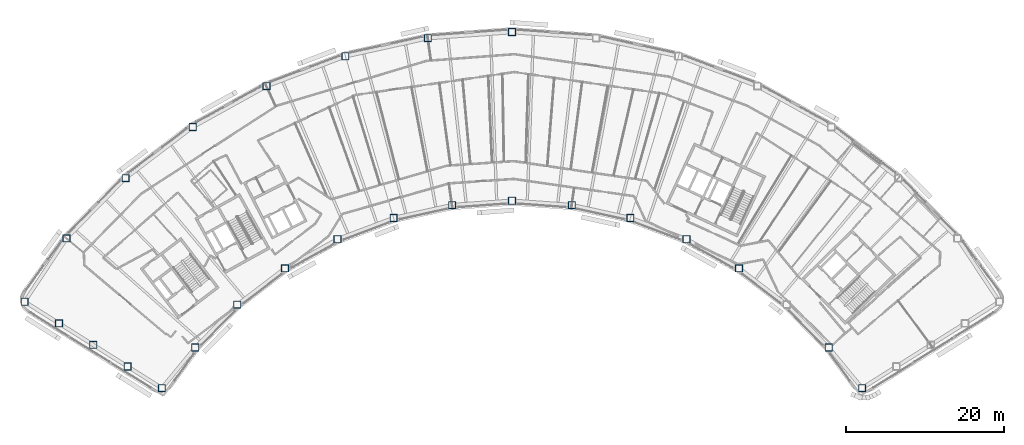
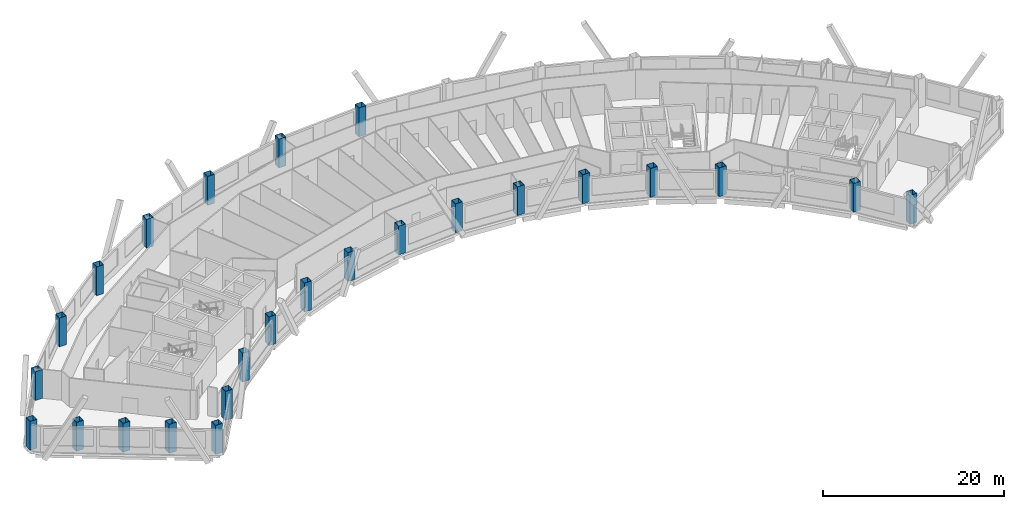
# One storey, part 1 of 15: 25 columns.
"""IFC4 building model written with IfcOpenShell, lengths in metres."""

from ifc_helpers import new_model, si_unit, direction, frame, origin, origin_2d, place, context, subcontext, project, spatial, hollow_rectangle, extrude, material, material_profile, profile_set, type_object, element, save


model = new_model("IFC4")

# Units and contexts
model_context = context("Model", 3, precision=1e-05, world=origin(), true_north=direction((0.0, 1.0)))
body_context = subcontext(model_context, "Body", "Model", "MODEL_VIEW")
ifc_project = project(units=[si_unit("LENGTHUNIT", "METRE"), si_unit("AREAUNIT", "SQUARE_METRE"), si_unit("VOLUMEUNIT", "CUBIC_METRE"), si_unit("PLANEANGLEUNIT", "RADIAN"), si_unit("MASSUNIT", "GRAM", prefix="KILO")], contexts=[model_context])

# Site, building, storey
site_placement = place(None, origin())
site = spatial("IfcSite", under=ifc_project, at=site_placement, CompositionType="ELEMENT")
building_placement = place(site_placement, origin())
building = spatial("IfcBuilding", under=site, at=building_placement, Name="Tuul Gate Civic Tower", CompositionType="ELEMENT")
storey_placement = place(building_placement, frame((0.0, 0.0, 226.300048828125)))
storey = spatial("IfcBuildingStorey", under=building, at=storey_placement, Name="Level 51", CompositionType="ELEMENT", Elevation=226.300048828125)

# Columns
ifc_material = material(Name="Steel S355", Category="steel")
ifc_material_profile = material_profile(ifc_material, hollow_rectangle(XDim=0.89990234375, YDim=0.89990234375, WallThickness=0.031982421875, at=origin_2d()), Name="BOX900x900x32")
ifc_profile_set = profile_set([ifc_material_profile], Name="Steel S355")
column_type = type_object("IfcColumnType", Name="STR-COLUMN-BOX900x900x32", PredefinedType="COLUMN", material=ifc_profile_set)
for number, where, z_axis, x_axis, name in (
    (1, (5.93994140625, 18.56494140625, 0.0), (0.0, 0.0, 1.0), (1.0, 0.0, 0.0), "Column"),
    (2, (-4.7099609375, 17.7939453125, 0.0), (0.0, 0.0, 1.0), (1.0, 0.0, 0.0), "Column"),
    (3, (-15.136962890625, 15.49609375, 0.0), (0.0, 0.0, 1.0), (1.0, 0.0, 0.0), "Column"),
    (4, (-25.1240234375, 11.718994140625, 0.0), (0.0, 0.0, 1.0), (1.0, 0.0, 0.0), "Column"),
    (5, (-34.462890625, 6.54296875, 0.0), (0.0, 0.0, 1.0), (1.0, 0.0, 0.0), "Column"),
    (6, (-42.9580078125, 0.074951171875, 0.0), (0.0, 0.0, 1.0), (1.0, 0.0, 0.0), "Column"),
    (7, (-50.431884765625, -7.550048828125, 0.0), (0.0, 0.0, 1.0), (1.0, 0.0, 0.0), "Column"),
    (8, (-55.73095703125, -15.56298828125, 0.0), (0.0, 0.0, 1.0), (1.0, 0.0, 0.0), "Column"),
    (9, (-51.388916015625, -18.297119140625, 0.0), (0.0, 0.0, 1.0), (1.0, 0.0, 0.0), "Column"),
    (10, (-47.0458984375, -21.031982421875, 0.0), (0.0, 0.0, 1.0), (1.0, 0.0, 0.0), "Column"),
    (11, (-42.7041015625, -23.76708984375, 0.0), (0.0, 0.0, 1.0), (1.0, 0.0, 0.0), "Column"),
    (12, (-38.361083984375, -26.5009765625, 0.0), (0.0, 0.0, 1.0), (1.0, 0.0, 0.0), "Column"),
    (13, (-34.14111328125, -21.35888671875, 0.0), (0.0, 0.0, 1.0), (1.0, 0.0, 0.0), "Column"),
    (14, (-28.826904296875, -15.93798828125, 0.0), (0.0, 0.0, 1.0), (1.0, 0.0, 0.0), "Column"),
    (15, (-22.787109375, -11.339111328125, 0.0), (0.0, 0.0, 1.0), (1.0, 0.0, 0.0), "Column"),
    (16, (-16.14697265625, -7.657958984375, 0.0), (0.0, 0.0, 1.0), (1.0, 0.0, 0.0), "Column"),
    (17, (-9.0458984375, -4.972900390625, 0.0), (0.0, 0.0, 1.0), (1.0, 0.0, 0.0), "Column"),
    (18, (-1.632080078125, -3.339111328125, 0.0), (0.0, 0.0, 1.0), (1.0, 0.0, 0.0), "Column"),
    (19, (5.93994140625, -2.7900390625, 0.0), (0.0, 0.0, 1.0), (1.0, 0.0, 0.0), "Column"),
    (20, (13.511962890625, -3.339111328125, 0.0), (0.0, 0.0, 1.0), (1.0, 0.0, 0.0), "Column"),
    (21, (20.925048828125, -4.972900390625, 0.0), (0.0, 0.0, 1.0), (1.0, 0.0, 0.0), "Column"),
    (22, (28.02587890625, -7.657958984375, 0.0), (0.0, 0.0, 1.0), (1.0, 0.0, 0.0), "Column"),
    (23, (34.666015625, -11.339111328125, 0.0), (0.0, 0.0, 1.0), (1.0, 0.0, 0.0), "Column"),
    (24, (46.02099609375, -21.35888671875, 0.0), (0.0, 0.0, 1.0), (1.0, 0.0, 0.0), "Column"),
    (25, (50.240966796875, -26.5009765625, 0.0), (0.0, 0.0, 1.0), (1.0, 0.0, 0.0), "Column"),
):
    element("IfcColumn", number, at=place(storey_placement, frame(where, z_axis=z_axis, x_axis=x_axis)), inside=storey, type_object=column_type, Name=name, PredefinedType="COLUMN", context=body_context, shape_type="SweptSolid", body=[
        extrude(hollow_rectangle(XDim=0.89990234375, YDim=0.89990234375, WallThickness=0.031982421875, at=origin_2d()), origin(), (0.0, 0.0, 1.0), 3.89990234375),
    ])

save(model, "model.ifc")
